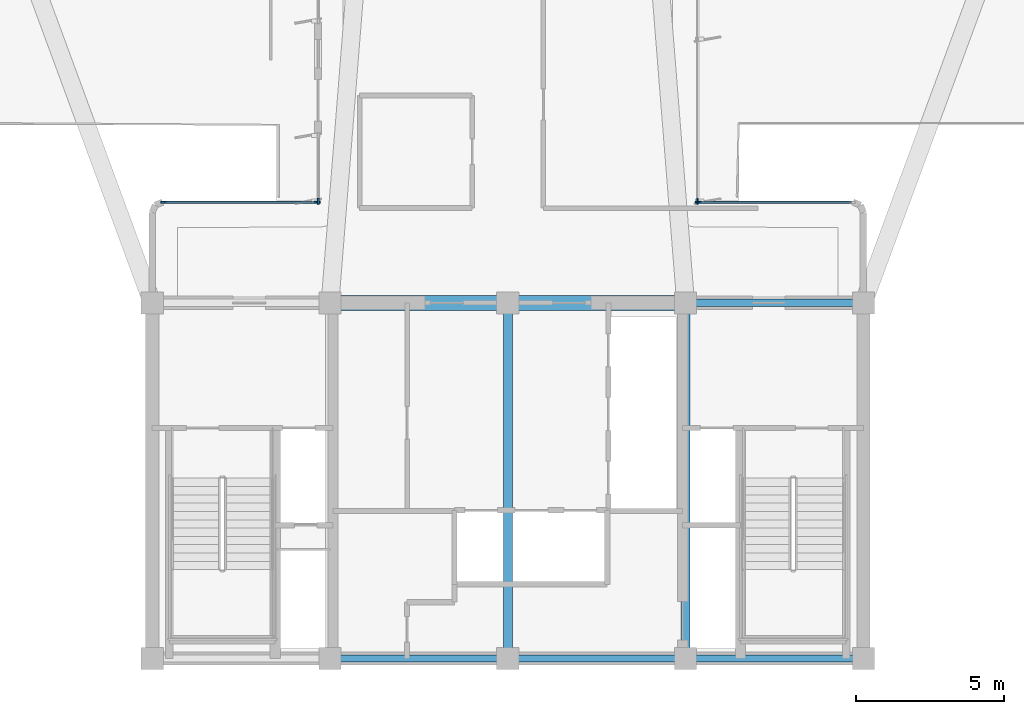
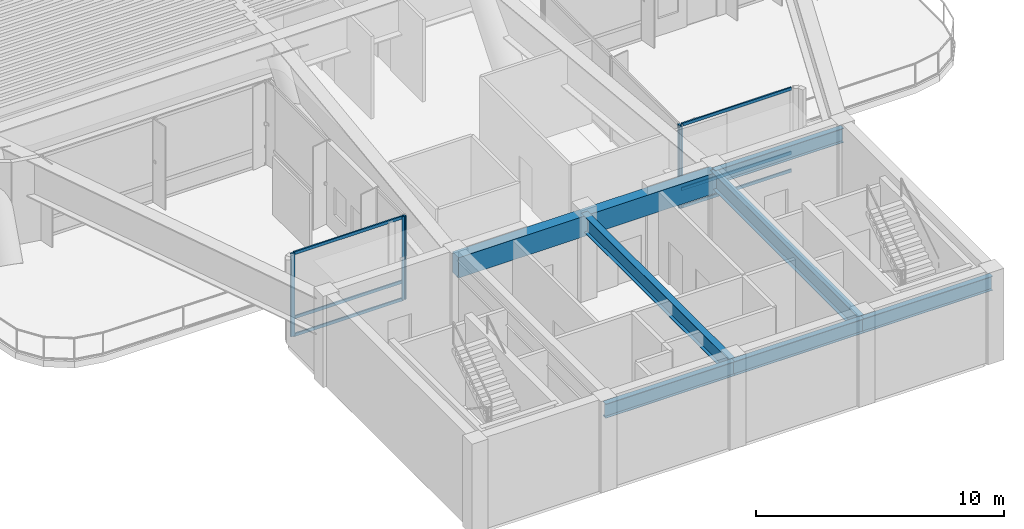
# One storey, part 2 of 13: 11 members, 7 beams, 4 elements without a shape of their own.
"""IFC4 building model written with IfcOpenShell, lengths in metres."""

import ifcopenshell
import ifcopenshell.guid

model = None  # the IFC model being written
_history = None  # IfcOwnerHistory: only IFC2X3 demands one
_inside = {}  # id of a spatial element -> (the spatial element, [elements in it])
_under = {}  # id of a project, library or spatial element -> (it, [spatial elements below it])
_declared = {}  # id of a project -> (the project, [libraries it declares])
_typed = {}  # id of a type object -> (the type object, [elements of that type])
_made_of = {}  # id of a material, layer set ... -> (it, [elements and type objects made of it])


def new_model(schema):
    """Start an empty IFC model of exactly this schema.

    Asked for "IFC4X3", IfcOpenShell would pick the latest addendum, in which some entities
    have other attributes; the version numbers below select the first issue.
    IFC2X3 requires an IfcOwnerHistory on every rooted entity: one is made here for all.
    """
    global model, _history
    if schema == "IFC4X3":
        model = ifcopenshell.file(schema_version=(4, 3, 0, 0))
    else:
        model = ifcopenshell.file(schema=schema)
    _inside.clear()
    _under.clear()
    _declared.clear()
    _typed.clear()
    _made_of.clear()
    _history = None
    if model.schema == "IFC2X3":
        org = make("IfcOrganization", Name="unknown")
        user = make(
            "IfcPersonAndOrganization",
            ThePerson=make("IfcPerson", FamilyName="unknown"),
            TheOrganization=org,
        )
        app = make(
            "IfcApplication",
            ApplicationDeveloper=org,
            Version="unknown",
            ApplicationFullName="unknown",
            ApplicationIdentifier="unknown",
        )
        _history = make(
            "IfcOwnerHistory",
            OwningUser=user,
            OwningApplication=app,
            ChangeAction="ADDED",
            CreationDate=0,
        )
    return model


def make(cls, **values):
    """One entity of the class cls with the attributes given. An attribute that is None is left unset."""
    return model.create_entity(
        cls, **{name: value for name, value in values.items() if value is not None}
    )


def rooted(cls, **values):
    """An entity with a GlobalId (a new one), such as an element, a storey or a relation."""
    return make(cls, GlobalId=ifcopenshell.guid.new(), OwnerHistory=_history, **values)


def si_unit(unit_type, name, prefix=None):
    """IfcSIUnit, for example si_unit("LENGTHUNIT", "METRE", prefix="MILLI")."""
    return make("IfcSIUnit", UnitType=unit_type, Prefix=prefix, Name=name)


def assignment(units):
    """IfcUnitAssignment: the units of a project."""
    return None if units is None else make("IfcUnitAssignment", Units=units)


def point(xyz):
    """IfcCartesianPoint."""
    return None if xyz is None else make("IfcCartesianPoint", Coordinates=xyz)


def direction(xyz):
    """IfcDirection."""
    return None if xyz is None else make("IfcDirection", DirectionRatios=xyz)


def frame(location, z_axis=None, x_axis=None):
    """IfcAxis2Placement3D, a coordinate frame: its origin and axes. An axis left out is left unset."""
    return make(
        "IfcAxis2Placement3D",
        Location=point(location),
        Axis=direction(z_axis),
        RefDirection=direction(x_axis),
    )


def frame_2d(location, x_axis=None):
    """IfcAxis2Placement2D, a coordinate frame in the plane: its origin and x axis."""
    return make(
        "IfcAxis2Placement2D", Location=point(location), RefDirection=direction(x_axis)
    )


def origin():
    """The frame at (0, 0, 0) with its axes left unset."""
    return frame((0.0, 0.0, 0.0))


def origin_2d():
    """The frame at (0, 0) in the plane with its x axis left unset."""
    return frame_2d((0.0, 0.0))


def place(relative_to, where):
    """IfcLocalPlacement: puts the frame where relative to a parent placement (None: the world)."""
    return make(
        "IfcLocalPlacement", PlacementRelTo=relative_to, RelativePlacement=where
    )


def context(
    kind, dimensions, precision=None, world=None, true_north=None, identifier=None
):
    """IfcGeometricRepresentationContext, for example the 3D "Model" context."""
    return make(
        "IfcGeometricRepresentationContext",
        ContextIdentifier=identifier,
        ContextType=kind,
        CoordinateSpaceDimension=dimensions,
        Precision=precision,
        WorldCoordinateSystem=world,
        TrueNorth=true_north,
    )


def subcontext(parent, identifier, kind, view, scale=None):
    """IfcGeometricRepresentationSubContext, for example "Body" below "Model"."""
    return make(
        "IfcGeometricRepresentationSubContext",
        ContextIdentifier=identifier,
        ContextType=kind,
        ParentContext=parent,
        TargetScale=scale,
        TargetView=view,
    )


def project(units=None, contexts=None):
    """IfcProject with its units and contexts."""
    return rooted(
        "IfcProject",
        Name="project",
        RepresentationContexts=contexts,
        UnitsInContext=assignment(units),
    )


def spatial(cls, under=None, at=None, **own):
    """A site, building, storey or space (cls), placed at a placement, below another one or the project."""
    s = rooted(cls, ObjectPlacement=at, **own)
    if under is not None:
        _under.setdefault(under.id(), (under, []))[1].append(s)
    return s


def profile(cls, at=None, kind="AREA", **sizes):
    """A parametric profile (cls). Its sizes go by their IFC names, for example OverallWidth=200.0."""
    return make(cls, ProfileType=kind, Position=at, **sizes)


def rectangle(**sizes):
    """IfcRectangleProfileDef."""
    return profile("IfcRectangleProfileDef", **sizes)


def i_section(**sizes):
    """IfcIShapeProfileDef."""
    return profile("IfcIShapeProfileDef", **sizes)


def extrude(swept, where, along, depth):
    """IfcExtrudedAreaSolid: the profile swept, set in the frame where, extruded along a direction by depth."""
    return make(
        "IfcExtrudedAreaSolid",
        SweptArea=swept,
        Position=where,
        ExtrudedDirection=direction(along),
        Depth=depth,
    )


def shape(context_of_items, identifier, shape_type, items):
    """IfcShapeRepresentation: the items that make up one representation, for example the "Body"."""
    return make(
        "IfcShapeRepresentation",
        ContextOfItems=context_of_items,
        RepresentationIdentifier=identifier,
        RepresentationType=shape_type,
        Items=items,
    )


def source(mapping_origin, context_of_items, identifier, shape_type, items):
    """IfcRepresentationMap: a shape defined once, which mapped items show again and again."""
    return make(
        "IfcRepresentationMap",
        MappingOrigin=mapping_origin,
        MappedRepresentation=shape(context_of_items, identifier, shape_type, items),
    )


def transform(
    local_origin,
    x_axis=None,
    y_axis=None,
    z_axis=None,
    scale=None,
    scale2=None,
    scale3=None,
    uniform=True,
):
    """IfcCartesianTransformationOperator3D, or its non-uniform kind. x_axis, y_axis, z_axis: its Axis1, 2, 3."""
    if uniform:
        return make(
            "IfcCartesianTransformationOperator3D",
            Axis1=direction(x_axis),
            Axis2=direction(y_axis),
            LocalOrigin=point(local_origin),
            Scale=scale,
            Axis3=direction(z_axis),
        )
    return make(
        "IfcCartesianTransformationOperator3DnonUniform",
        Axis1=direction(x_axis),
        Axis2=direction(y_axis),
        LocalOrigin=point(local_origin),
        Scale=scale,
        Axis3=direction(z_axis),
        Scale2=scale2,
        Scale3=scale3,
    )


def mapped(mapping_source, mapping_target):
    """IfcMappedItem: shows the shape of a source again, moved by a transform."""
    return make(
        "IfcMappedItem", MappingSource=mapping_source, MappingTarget=mapping_target
    )


def material(Name=None, Category=None):
    """IfcMaterial."""
    return make("IfcMaterial", Name=Name, Category=Category)


def layer(
    of_material, thickness, ventilated=None, Name=None, Category=None, Priority=None
):
    """IfcMaterialLayer: one layer of a wall or slab, of a material (None: an air gap)."""
    return make(
        "IfcMaterialLayer",
        Material=of_material,
        LayerThickness=thickness,
        IsVentilated=ventilated,
        Name=Name,
        Category=Category,
        Priority=Priority,
    )


def layer_set(layers, Name=None):
    """IfcMaterialLayerSet."""
    return make("IfcMaterialLayerSet", MaterialLayers=layers, LayerSetName=Name)


def material_profile(
    of_material, cross_section, Name=None, Category=None, Priority=None
):
    """IfcMaterialProfile: a cross section and its material."""
    return make(
        "IfcMaterialProfile",
        Name=Name,
        Material=of_material,
        Profile=cross_section,
        Priority=Priority,
        Category=Category,
    )


def profile_set(profiles, Name=None, composite=None):
    """IfcMaterialProfileSet."""
    return make(
        "IfcMaterialProfileSet",
        Name=Name,
        MaterialProfiles=profiles,
        CompositeProfile=composite,
    )


def made_of(thing, what):
    """Note that an element or type object is made of a material, layer set ...; save() writes the relation."""
    if what is not None:
        _made_of.setdefault(what.id(), (what, []))[1].append(thing)
    return thing


def type_object(cls, material=None, **own):
    """A type object (cls), such as IfcWallType, which elements share."""
    return made_of(rooted(cls, **own), material)


def element(
    cls,
    number,
    at=None,
    inside=None,
    cuts=None,
    type_object=None,
    material=None,
    context=None,
    identifier="Body",
    shape_type=None,
    held_by="IfcProductDefinitionShape",
    body=None,
    shapes=None,
    **own,
):
    """One element of the class cls, such as IfcWall. Its Tag is "e" and its number.

    at: its placement. inside: the storey or other place that contains it. cuts: it is an
    opening in that element (IfcRelVoidsElement). A single representation is given by context,
    identifier, shape_type and body (its items); several are given by shapes. held_by: the class
    of the entity that holds the representations. save() writes the other relations.
    """
    e = rooted(cls, Tag="e%d" % number, ObjectPlacement=at, **own)
    if body is not None:
        shapes = [shape(context, identifier, shape_type, body)]
    if shapes is not None:
        e.Representation = make(held_by, Representations=shapes)
    if inside is not None:
        _inside.setdefault(inside.id(), (inside, []))[1].append(e)
    if cuts is not None:
        rooted(
            "IfcRelVoidsElement", RelatingBuildingElement=cuts, RelatedOpeningElement=e
        )
    if type_object is not None:
        _typed.setdefault(type_object.id(), (type_object, []))[1].append(e)
    return made_of(e, material)


def aggregate(whole, parts):
    """IfcRelAggregates: a whole, such as a stair, and the parts it consists of."""
    return rooted("IfcRelAggregates", RelatingObject=whole, RelatedObjects=parts)


def save(model, path):
    """Write the relations noted so far, then the file.

    IfcRelAggregates (storeys below a building ...), IfcRelContainedInSpatialStructure (elements
    in a storey), IfcRelDefinesByType, IfcRelAssociatesMaterial and IfcRelDeclares: one each for
    every whole, place, type object, material and project.
    """
    for whole, parts in _under.values():
        aggregate(whole, parts)
    for where, things in _inside.values():
        rooted(
            "IfcRelContainedInSpatialStructure",
            RelatedElements=things,
            RelatingStructure=where,
        )
    for kind, things in _typed.values():
        rooted("IfcRelDefinesByType", RelatedObjects=things, RelatingType=kind)
    for what, things in _made_of.values():
        rooted("IfcRelAssociatesMaterial", RelatedObjects=things, RelatingMaterial=what)
    for by, libraries in _declared.values():
        rooted("IfcRelDeclares", RelatingContext=by, RelatedDefinitions=libraries)
    model.write(path)


model = new_model("IFC4")

# Units and contexts
model_context = context("Model", 3, precision=1e-05, world=origin(), true_north=direction((0.0, 1.0)))
body_context = subcontext(model_context, "Body", "Model", "MODEL_VIEW")
ifc_project = project(units=[si_unit("LENGTHUNIT", "METRE"), si_unit("AREAUNIT", "SQUARE_METRE"), si_unit("VOLUMEUNIT", "CUBIC_METRE"), si_unit("PLANEANGLEUNIT", "RADIAN"), si_unit("MASSUNIT", "GRAM", prefix="KILO")], contexts=[model_context])

# Site, building, storey
site_placement = place(None, origin())
site = spatial("IfcSite", under=ifc_project, at=site_placement, CompositionType="ELEMENT")
building_placement = place(site_placement, origin())
building = spatial("IfcBuilding", under=site, at=building_placement, Name="Brelvock Crest Care Tower", CompositionType="ELEMENT")
storey_placement = place(building_placement, frame((0.0, 0.0, 151.919921875)))
storey = spatial("IfcBuildingStorey", under=building, at=storey_placement, Name="L38", CompositionType="ELEMENT", Elevation=151.919921875)

# Beams
ifc_material_1 = material(Name="Steel Grade 350", Category="steel")
ifc_material_profile_1 = material_profile(ifc_material_1, i_section(OverallWidth=0.25, OverallDepth=0.699951171875, WebThickness=0.011962890625, FlangeThickness=0.02001953125, at=origin_2d()), Name="700WB150")
ifc_profile_set_1 = profile_set([ifc_material_profile_1], Name="Steel Grade 350")
beam_type_1 = type_object("IfcBeamType", Name="BM-G4", PredefinedType="BEAM", material=ifc_profile_set_1)
shared_shape_1 = source(origin(), body_context, "Body", "SweptSolid", [
    extrude(i_section(OverallWidth=0.25, OverallDepth=0.699951171875, WebThickness=0.011962890625, FlangeThickness=0.02001953125, at=origin_2d()), origin(), (0.0, 0.0, 1.0), 6.0),
])
for number, where, z_axis, x_axis, name in (
    (1, (30.0, 6.0, 3.7421875), (1.0, 0.0, 0.0), (0.0, 1.0, 0.0), "BM-CORES-L38-2"),
    (2, (36.0, 6.0, 3.7421875), (1.0, 0.0, 0.0), (0.0, 1.0, 0.0), "BM-CORES-L38-3"),
    (3, (42.0, 6.0, 3.7421875), (1.0, 0.0, 0.0), (0.0, 1.0, 0.0), "BM-CORES-L38-4"),
    (4, (42.0, 18.0, 3.7421875), (1.0, 0.0, 0.0), (0.0, 1.0, 0.0), "BM-COREN-L38-4"),
):
    element("IfcBeam", number, at=place(storey_placement, frame(where, z_axis=z_axis, x_axis=x_axis)), inside=storey, type_object=beam_type_1, Name=name, PredefinedType="BEAM", context=body_context, shape_type="MappedRepresentation", body=[
        mapped(shared_shape_1, transform((0.0, 0.0, 0.0), x_axis=(1.0, 0.0, 0.0), y_axis=(0.0, 1.0, 0.0), z_axis=(0.0, 0.0, 1.0), scale=1.0)),
    ])
ifc_material_profile_2 = material_profile(ifc_material_1, i_section(OverallWidth=0.300048828125, OverallDepth=0.800048828125, WebThickness=0.013916015625, FlangeThickness=0.02197265625, at=origin_2d()), Name="800WB192")
ifc_profile_set_2 = profile_set([ifc_material_profile_2], Name="Steel Grade 350")
beam_type_2 = type_object("IfcBeamType", Name="BM-G5", PredefinedType="BEAM", material=ifc_profile_set_2)
shared_shape_2 = source(origin(), body_context, "Body", "SweptSolid", [
    extrude(i_section(OverallWidth=0.300048828125, OverallDepth=0.800048828125, WebThickness=0.013916015625, FlangeThickness=0.02197265625, at=origin_2d()), origin(), (0.0, 0.0, 1.0), 12.0),
])
for number, where, z_axis, x_axis, name in (
    (5, (36.0, 6.0, 3.692138671875), (0.0, 1.0, 0.0), (-1.0, 0.0, 0.0), "BM-COREX-L38-3"),
    (6, (42.0, 6.0, 3.692138671875), (0.0, 1.0, 0.0), (-1.0, 0.0, 0.0), "BM-COREX-L38-4"),
):
    element("IfcBeam", number, at=place(storey_placement, frame(where, z_axis=z_axis, x_axis=x_axis)), inside=storey, type_object=beam_type_2, Name=name, PredefinedType="BEAM", context=body_context, shape_type="MappedRepresentation", body=[
        mapped(shared_shape_2, transform((0.0, 0.0, 0.0), x_axis=(1.0, 0.0, 0.0), y_axis=(0.0, 1.0, 0.0), z_axis=(0.0, 0.0, 1.0), scale=1.0)),
    ])
ifc_material_2 = material(Name="Concrete S65 (65 MPa)", Category="concrete")
ifc_material_profile_3 = material_profile(ifc_material_2, rectangle(XDim=0.5, YDim=1.0, at=origin_2d()), Name="RC500x1000")
ifc_profile_set_3 = profile_set([ifc_material_profile_3], Name="Concrete S65 (65 MPa)")
beam_type_3 = type_object("IfcBeamType", Name="BM-LN2", PredefinedType="LINTEL", material=ifc_profile_set_3)
shared_shape_3 = source(origin(), body_context, "Body", "SweptSolid", [
    extrude(rectangle(XDim=0.5, YDim=1.0, at=origin_2d()), origin(), (0.0, 0.0, 1.0), 12.0),
])
beam_placement = place(storey_placement, frame((30.0, 18.0, 3.592041015625), z_axis=(1.0, 0.0, 0.0), x_axis=(0.0, 1.0, 0.0)))
element("IfcBeam", 7, at=beam_placement, inside=storey, type_object=beam_type_3, Name="L38 Core Coupling Lintel Beam", PredefinedType="LINTEL", context=body_context, shape_type="MappedRepresentation", body=[
    mapped(shared_shape_3, transform((0.0, 0.0, 0.0), x_axis=(1.0, 0.0, 0.0), y_axis=(0.0, 1.0, 0.0), z_axis=(0.0, 0.0, 1.0), scale=1.0)),
])

# Curtain wall, members
ifc_material_3 = material(Name="Dark Glass Double Glazed Low-E", Category="glass")
ifc_layer = layer(ifc_material_3, 0.2548828125, Name="CWS-6")
ifc_layer_set = layer_set([ifc_layer], Name="Dark Glass Double Glazed Low-E")
curtain_wall_type = type_object("IfcCurtainWallType", Name="CWS-6", PredefinedType="NOTDEFINED", material=ifc_layer_set)
curtain_wall_1_placement = place(storey_placement, origin())
curtain_wall_1 = element("IfcCurtainWall", 8, at=curtain_wall_1_placement, inside=storey, type_object=curtain_wall_type, Name="L38 Curtain Wall E10", PredefinedType="NOTDEFINED")
ifc_material_4 = material(Name="Aluminium 6063-T6", Category="aluminium")
ifc_material_profile_4 = material_profile(ifc_material_4, rectangle(XDim=0.06494140625, YDim=0.199951171875, at=origin_2d()), Name="ALU65x200")
ifc_profile_set_4 = profile_set([ifc_material_profile_4], Name="Aluminium 6063-T6")
member_type_1 = type_object("IfcMemberType", Name="CWM-1", PredefinedType="MULLION", material=ifc_profile_set_4)
shared_shape_4 = source(origin(), body_context, "Body", "SweptSolid", [
    extrude(rectangle(XDim=0.06494140625, YDim=0.199951171875, at=origin_2d()), origin(), (0.0, 0.0, 1.0), 4.092041015625),
])
member_1_placement = place(storey_placement, frame((24.382568359375, 21.39990234375, 0.0), z_axis=(0.0, 0.0, 1.0), x_axis=(0.0, 1.0, 0.0)))
member_1 = element("IfcMember", 9, at=member_1_placement, type_object=member_type_1, Name="CW-6 mullion 1", PredefinedType="MULLION", context=body_context, shape_type="MappedRepresentation", body=[
    mapped(shared_shape_4, transform((0.0, 0.0, 0.0), x_axis=(1.0, 0.0, 0.0), y_axis=(0.0, 1.0, 0.0), z_axis=(0.0, 0.0, 1.0), scale=1.0)),
])
member_2_placement = place(storey_placement, frame((29.5673828125, 21.39990234375, 0.0), z_axis=(0.0, 0.0, 1.0), x_axis=(0.0, 1.0, 0.0)))
member_2 = element("IfcMember", 10, at=member_2_placement, type_object=member_type_1, Name="CW-6 mullion 2", PredefinedType="MULLION", context=body_context, shape_type="MappedRepresentation", body=[
    mapped(shared_shape_4, transform((0.0, 0.0, 0.0), x_axis=(1.0, 0.0, 0.0), y_axis=(0.0, 1.0, 0.0), z_axis=(0.0, 0.0, 1.0), scale=1.0)),
])

# Curtain wall, member
curtain_wall_2_placement = place(storey_placement, origin())
curtain_wall_2 = element("IfcCurtainWall", 11, at=curtain_wall_2_placement, inside=storey, type_object=curtain_wall_type, Name="L38 Curtain Wall E11A", PredefinedType="NOTDEFINED")
member_3_placement = place(storey_placement, frame((29.60009765625, 21.4326171875, 0.0), z_axis=(0.0, 0.0, 1.0), x_axis=(-1.0, 0.0, 0.0)))
member_3 = element("IfcMember", 12, at=member_3_placement, type_object=member_type_1, Name="CW-6 mullion 1", PredefinedType="MULLION", context=body_context, shape_type="MappedRepresentation", body=[
    mapped(shared_shape_4, transform((0.0, 0.0, 0.0), x_axis=(1.0, 0.0, 0.0), y_axis=(0.0, 1.0, 0.0), z_axis=(0.0, 0.0, 1.0), scale=1.0)),
])
aggregate(curtain_wall_2, [member_3])

curtain_wall_3_placement = place(storey_placement, origin())
curtain_wall_3 = element("IfcCurtainWall", 13, at=curtain_wall_3_placement, inside=storey, type_object=curtain_wall_type, Name="L38 Curtain Wall E45", PredefinedType="NOTDEFINED")
member_4_placement = place(storey_placement, frame((42.39990234375, 21.4326171875, 0.0), z_axis=(0.0, 0.0, 1.0), x_axis=(1.0, 0.0, 0.0)))
member_4 = element("IfcMember", 14, at=member_4_placement, type_object=member_type_1, Name="CW-6 mullion 3", PredefinedType="MULLION", context=body_context, shape_type="MappedRepresentation", body=[
    mapped(shared_shape_4, transform((0.0, 0.0, 0.0), x_axis=(1.0, 0.0, 0.0), y_axis=(0.0, 1.0, 0.0), z_axis=(0.0, 0.0, 1.0), scale=1.0)),
])
aggregate(curtain_wall_3, [member_4])

curtain_wall_4_placement = place(storey_placement, origin())
curtain_wall_4 = element("IfcCurtainWall", 15, at=curtain_wall_4_placement, inside=storey, type_object=curtain_wall_type, Name="L38 Curtain Wall E46", PredefinedType="NOTDEFINED")
member_5_placement = place(storey_placement, frame((42.4326171875, 21.39990234375, 0.0), z_axis=(0.0, 0.0, 1.0), x_axis=(0.0, 1.0, 0.0)))
member_5 = element("IfcMember", 16, at=member_5_placement, type_object=member_type_1, Name="CW-6 mullion 1", PredefinedType="MULLION", context=body_context, shape_type="MappedRepresentation", body=[
    mapped(shared_shape_4, transform((0.0, 0.0, 0.0), x_axis=(1.0, 0.0, 0.0), y_axis=(0.0, 1.0, 0.0), z_axis=(0.0, 0.0, 1.0), scale=1.0)),
])

# Member
ifc_material_profile_5 = material_profile(ifc_material_4, rectangle(XDim=0.06494140625, YDim=0.14990234375, at=origin_2d()), Name="ALU65x150")
ifc_profile_set_5 = profile_set([ifc_material_profile_5], Name="Aluminium 6063-T6")
member_type_2 = type_object("IfcMemberType", Name="CWT-1", PredefinedType="USERDEFINED", material=ifc_profile_set_5)
shared_shape_5 = source(origin(), body_context, "Body", "SweptSolid", [
    extrude(rectangle(XDim=0.06494140625, YDim=0.14990234375, at=origin_2d()), origin(), (0.0, 0.0, 1.0), 5.119873046875),
])
member_6_placement = place(storey_placement, frame((24.4150390625, 21.39990234375, 0.032470703125), z_axis=(1.0, 0.0, 0.0), x_axis=(0.0, 1.0, 0.0)))
member_6 = element("IfcMember", 17, at=member_6_placement, type_object=member_type_2, Name="CW-6 transom 1.1", ObjectType="TRANSOM", PredefinedType="USERDEFINED", context=body_context, shape_type="MappedRepresentation", body=[
    mapped(shared_shape_5, transform((0.0, 0.0, 0.0), x_axis=(1.0, 0.0, 0.0), y_axis=(0.0, 1.0, 0.0), z_axis=(0.0, 0.0, 1.0), scale=1.0)),
])

member_7_placement = place(storey_placement, frame((24.4150390625, 21.39990234375, 0.900146484375), z_axis=(1.0, 0.0, 0.0), x_axis=(0.0, 1.0, 0.0)))
member_7 = element("IfcMember", 18, at=member_7_placement, type_object=member_type_2, Name="CW-6 transom 1.2", ObjectType="TRANSOM", PredefinedType="USERDEFINED", context=body_context, shape_type="MappedRepresentation", body=[
    mapped(shared_shape_5, transform((0.0, 0.0, 0.0), x_axis=(1.0, 0.0, 0.0), y_axis=(0.0, 1.0, 0.0), z_axis=(0.0, 0.0, 1.0), scale=1.0)),
])

member_8_placement = place(storey_placement, frame((24.4150390625, 21.39990234375, 4.0595703125), z_axis=(1.0, 0.0, 0.0), x_axis=(0.0, 1.0, 0.0)))
member_8 = element("IfcMember", 19, at=member_8_placement, type_object=member_type_2, Name="CW-6 transom 1.3", ObjectType="TRANSOM", PredefinedType="USERDEFINED", context=body_context, shape_type="MappedRepresentation", body=[
    mapped(shared_shape_5, transform((0.0, 0.0, 0.0), x_axis=(1.0, 0.0, 0.0), y_axis=(0.0, 1.0, 0.0), z_axis=(0.0, 0.0, 1.0), scale=1.0)),
])

aggregate(curtain_wall_1, [member_1, member_2, member_6, member_7, member_8])

member_9_placement = place(storey_placement, frame((42.465087890625, 21.39990234375, 0.032470703125), z_axis=(1.0, 0.0, 0.0), x_axis=(0.0, 1.0, 0.0)))
member_9 = element("IfcMember", 20, at=member_9_placement, type_object=member_type_2, Name="CW-6 transom 1.1", ObjectType="TRANSOM", PredefinedType="USERDEFINED", context=body_context, shape_type="MappedRepresentation", body=[
    mapped(shared_shape_5, transform((0.0, 0.0, 0.0), x_axis=(1.0, 0.0, 0.0), y_axis=(0.0, 1.0, 0.0), z_axis=(0.0, 0.0, 1.0), scale=1.0)),
])

member_10_placement = place(storey_placement, frame((42.465087890625, 21.39990234375, 0.900146484375), z_axis=(1.0, 0.0, 0.0), x_axis=(0.0, 1.0, 0.0)))
member_10 = element("IfcMember", 21, at=member_10_placement, type_object=member_type_2, Name="CW-6 transom 1.2", ObjectType="TRANSOM", PredefinedType="USERDEFINED", context=body_context, shape_type="MappedRepresentation", body=[
    mapped(shared_shape_5, transform((0.0, 0.0, 0.0), x_axis=(1.0, 0.0, 0.0), y_axis=(0.0, 1.0, 0.0), z_axis=(0.0, 0.0, 1.0), scale=1.0)),
])

member_11_placement = place(storey_placement, frame((42.465087890625, 21.39990234375, 4.0595703125), z_axis=(1.0, 0.0, 0.0), x_axis=(0.0, 1.0, 0.0)))
member_11 = element("IfcMember", 22, at=member_11_placement, type_object=member_type_2, Name="CW-6 transom 1.3", ObjectType="TRANSOM", PredefinedType="USERDEFINED", context=body_context, shape_type="MappedRepresentation", body=[
    mapped(shared_shape_5, transform((0.0, 0.0, 0.0), x_axis=(1.0, 0.0, 0.0), y_axis=(0.0, 1.0, 0.0), z_axis=(0.0, 0.0, 1.0), scale=1.0)),
])

aggregate(curtain_wall_4, [member_5, member_9, member_10, member_11])

save(model, "model.ifc")
